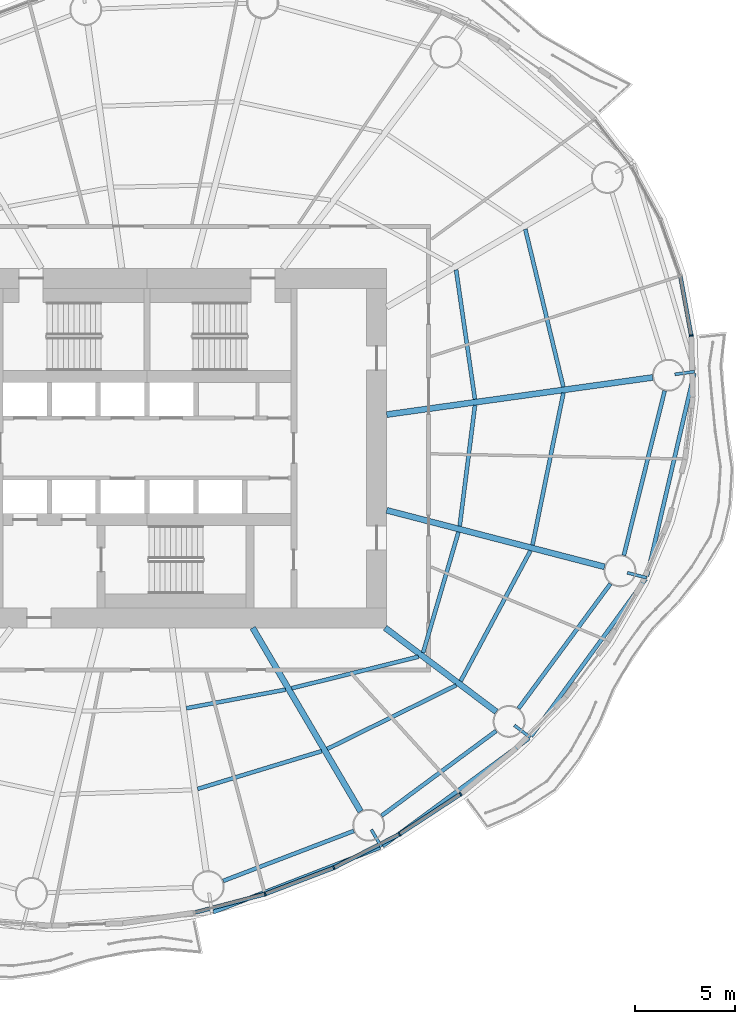
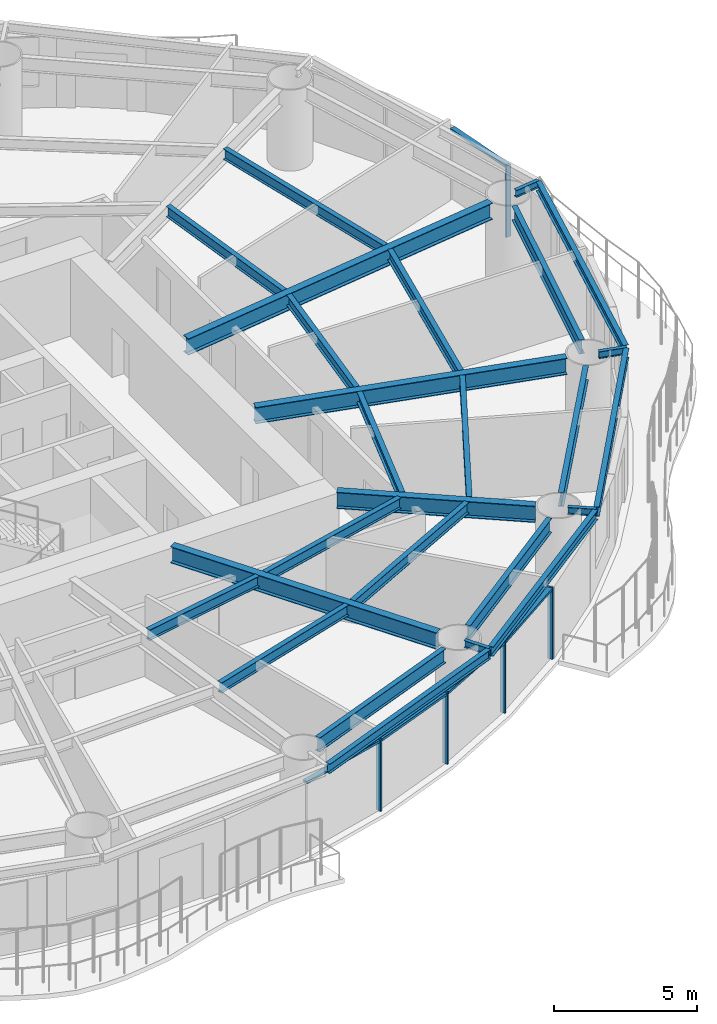
# One storey, part 3 of 15: 26 beams, 10 members, 5 elements without a shape of their own.
"""IFC4 building model written with IfcOpenShell, lengths in metres."""

from ifc_helpers import new_model, si_unit, direction, frame, origin, origin_2d, place, context, subcontext, project, spatial, rectangle, i_section, extrude, material, material_profile, profile_set, type_object, element, aggregate, save


model = new_model("IFC4")

# Units and contexts
model_context = context("Model", 3, precision=1e-05, world=origin(), true_north=direction((0.0, 1.0)))
body_context = subcontext(model_context, "Body", "Model", "MODEL_VIEW")
ifc_project = project(units=[si_unit("LENGTHUNIT", "METRE"), si_unit("AREAUNIT", "SQUARE_METRE"), si_unit("VOLUMEUNIT", "CUBIC_METRE"), si_unit("PLANEANGLEUNIT", "RADIAN"), si_unit("MASSUNIT", "GRAM", prefix="KILO")], contexts=[model_context])

# Site, building, storey
site_placement = place(None, origin())
site = spatial("IfcSite", under=ifc_project, at=site_placement, CompositionType="ELEMENT")
building_placement = place(site_placement, origin())
building = spatial("IfcBuilding", under=site, at=building_placement, Name="Vermilion Reach Broadcast Tower", CompositionType="ELEMENT")
storey_placement = place(building_placement, frame((0.0, 0.0, 128.199951171875)))
storey = spatial("IfcBuildingStorey", under=building, at=storey_placement, Name="L30", CompositionType="ELEMENT", Elevation=128.199951171875)

# Beams
ifc_material_1 = material(Name="Steel S355J2", Category="steel")
ifc_material_profile_1 = material_profile(ifc_material_1, i_section(OverallWidth=0.199951171875, OverallDepth=0.39990234375, WebThickness=0.008056640625, FlangeThickness=0.012939453125, at=origin_2d()), Name="S355J2 HN 400x200x8x13")
ifc_profile_set_1 = profile_set([ifc_material_profile_1], Name="Steel S355J2")
beam_type_1 = type_object("IfcBeamType", Name="EB2 HN 400x200x8x13", PredefinedType="BEAM", material=ifc_profile_set_1)
beam_1_placement = place(storey_placement, frame((-2.679931640625, -23.23193359375, 3.25), z_axis=(0.932314966936, 0.361647345389, 0.0), x_axis=(-0.361647345389, 0.932314966936, 0.0)))
element("IfcBeam", 1, at=beam_1_placement, inside=storey, type_object=beam_type_1, Name="Edge beam EB2-12", PredefinedType="BEAM", context=body_context, shape_type="SweptSolid", body=[
    extrude(i_section(OverallWidth=0.199951171875, OverallDepth=0.39990234375, WebThickness=0.008056640625, FlangeThickness=0.012939453125, at=origin_2d()), origin(), (0.0, 0.0, 1.0), 8.952880859375),
])
beam_2_placement = place(storey_placement, frame((5.798583984375, -19.921875, 3.25), z_axis=(0.80536002253, 0.592785993518, 0.0), x_axis=(-0.592785993518, 0.80536002253, 0.0)))
element("IfcBeam", 2, at=beam_2_placement, inside=storey, type_object=beam_type_1, Name="Edge beam EB2-13", PredefinedType="BEAM", context=body_context, shape_type="SweptSolid", body=[
    extrude(i_section(OverallWidth=0.199951171875, OverallDepth=0.39990234375, WebThickness=0.008056640625, FlangeThickness=0.012939453125, at=origin_2d()), origin(), (0.0, 0.0, 1.0), 9.094970703125),
])
beam_3_placement = place(storey_placement, frame((13.23046875, -14.423583984375, 3.25), z_axis=(0.589004991883, 0.808129395293, 0.0), x_axis=(-0.808129395293, 0.589004991883, 0.0)))
element("IfcBeam", 3, at=beam_3_placement, inside=storey, type_object=beam_type_1, Name="Edge beam EB2-14", PredefinedType="BEAM", context=body_context, shape_type="SweptSolid", body=[
    extrude(i_section(OverallWidth=0.199951171875, OverallDepth=0.39990234375, WebThickness=0.008056640625, FlangeThickness=0.012939453125, at=origin_2d()), origin(), (0.0, 0.0, 1.0), 9.734375),
])
beam_4_placement = place(storey_placement, frame((19.028564453125, -6.418701171875, 3.25), z_axis=(0.226573857574, 0.973993987181, 0.0), x_axis=(-0.973993987181, 0.226573857574, 0.0)))
element("IfcBeam", 4, at=beam_4_placement, inside=storey, type_object=beam_type_1, Name="Edge beam EB2-15", PredefinedType="BEAM", context=body_context, shape_type="SweptSolid", body=[
    extrude(i_section(OverallWidth=0.199951171875, OverallDepth=0.39990234375, WebThickness=0.008056640625, FlangeThickness=0.012939453125, at=origin_2d()), origin(), (0.0, 0.0, 1.0), 10.440185546875),
])
ifc_material_2 = material(Name="Steel S355J2", Category="steel")
ifc_material_profile_2 = material_profile(ifc_material_2, i_section(OverallWidth=0.300048828125, OverallDepth=0.699951171875, WebThickness=0.012939453125, FlangeThickness=0.02392578125, at=origin_2d()), Name="S355J2 HN 700x300x13x24")
ifc_profile_set_2 = profile_set([ifc_material_profile_2], Name="Steel S355J2")
beam_type_2 = type_object("IfcBeamType", Name="G2 HN 700x300x13x24", PredefinedType="BEAM", material=ifc_profile_set_2)
beam_5_placement = place(storey_placement, frame((-0.709228515625, -9.0, 3.10009765625), z_axis=(0.506783943634, -0.862073102744, 0.0), x_axis=(0.862073102744, 0.506783943634, 0.0)))
element("IfcBeam", 5, at=beam_5_placement, inside=storey, type_object=beam_type_2, Name="Girder G2-13", PredefinedType="BEAM", context=body_context, shape_type="SweptSolid", body=[
    extrude(i_section(OverallWidth=0.300048828125, OverallDepth=0.699951171875, WebThickness=0.012939453125, FlangeThickness=0.02392578125, at=origin_2d()), origin(), (0.0, 0.0, 1.0), 10.661865234375),
])
beam_6_placement = place(storey_placement, frame((5.921630859375, -9.0, 3.10009765625), z_axis=(0.798113534072, -0.602507084382, 0.0), x_axis=(0.602507084382, 0.798113534072, 0.0)))
element("IfcBeam", 6, at=beam_6_placement, inside=storey, type_object=beam_type_2, Name="Girder G2-14", PredefinedType="BEAM", context=body_context, shape_type="SweptSolid", body=[
    extrude(i_section(OverallWidth=0.300048828125, OverallDepth=0.699951171875, WebThickness=0.012939453125, FlangeThickness=0.02392578125, at=origin_2d()), origin(), (0.0, 0.0, 1.0), 6.971923828125),
])
beam_7_placement = place(storey_placement, frame((6.0, -3.114501953125, 3.10009765625), z_axis=(0.967926079816, -0.2512351568, 0.0), x_axis=(0.2512351568, 0.967926079816, 0.0)))
element("IfcBeam", 7, at=beam_7_placement, inside=storey, type_object=beam_type_2, Name="Girder G2-15", PredefinedType="BEAM", context=body_context, shape_type="SweptSolid", body=[
    extrude(i_section(OverallWidth=0.300048828125, OverallDepth=0.699951171875, WebThickness=0.012939453125, FlangeThickness=0.02392578125, at=origin_2d()), origin(), (0.0, 0.0, 1.0), 11.265625),
])
beam_8_placement = place(storey_placement, frame((6.0, 1.67578125, 3.10009765625), z_axis=(0.990389457618, 0.138306623986, 0.0), x_axis=(-0.138306623986, 0.990389457618, 0.0)))
element("IfcBeam", 8, at=beam_8_placement, inside=storey, type_object=beam_type_2, Name="Girder G2-16", PredefinedType="BEAM", context=body_context, shape_type="SweptSolid", body=[
    extrude(i_section(OverallWidth=0.300048828125, OverallDepth=0.699951171875, WebThickness=0.012939453125, FlangeThickness=0.02392578125, at=origin_2d()), origin(), (0.0, 0.0, 1.0), 13.445556640625),
])
ifc_material_3 = material(Name="Steel S355J2", Category="steel")
ifc_material_profile_3 = material_profile(ifc_material_3, i_section(OverallWidth=0.14990234375, OverallDepth=0.300048828125, WebThickness=0.006591796875, FlangeThickness=0.009033203125, at=origin_2d()), Name="S355J2 HN 300x150x6.5x9")
ifc_profile_set_3 = profile_set([ifc_material_profile_3], Name="Steel S355J2")
beam_type_3 = type_object("IfcBeamType", Name="GS2 HN 300x150x6.5x9", PredefinedType="BEAM", material=ifc_profile_set_3)
for number, where, z_axis, x_axis, name in (
    (9, (5.23095703125, -19.1044921875, 3.300048828125), (0.506828068037, -0.862047161964, 0.0), (0.862047161964, 0.506828068037, 0.0), "Cantilever stub GS2-13"),
    (10, (12.38818359375, -13.881591796875, 3.300048828125), (0.798091683473, -0.602536027779, 0.0), (0.602536027779, 0.798091683473, 0.0), "Cantilever stub GS2-14"),
    (11, (18.043701171875, -6.240478515625, 3.300048828125), (0.967935368459, -0.251199368006, 0.0), (0.251199368006, 0.967935368459, 0.0), "Cantilever stub GS2-15"),
    (12, (20.421875, 3.68994140625, 3.300048828125), (0.990408003315, 0.13817375644, 0.0), (-0.13817375644, 0.990408003315, 0.0), "Cantilever stub GS2-16"),
):
    element("IfcBeam", number, at=place(storey_placement, frame(where, z_axis=z_axis, x_axis=x_axis)), inside=storey, type_object=beam_type_3, Name=name, PredefinedType="BEAM", context=body_context, shape_type="SweptSolid", body=[
        extrude(i_section(OverallWidth=0.14990234375, OverallDepth=0.300048828125, WebThickness=0.006591796875, FlangeThickness=0.009033203125, at=origin_2d()), origin(), (0.0, 0.0, 1.0), 1.0),
    ])
ifc_material_4 = material(Name="Steel S355J2", Category="steel")
ifc_material_profile_4 = material_profile(ifc_material_4, i_section(OverallWidth=0.199951171875, OverallDepth=0.60009765625, WebThickness=0.010986328125, FlangeThickness=0.01708984375, at=origin_2d()), Name="S355J2 HN 600x200x11x17")
ifc_profile_set_4 = profile_set([ifc_material_profile_4], Name="Steel S355J2")
beam_type_4 = type_object("IfcBeamType", Name="RB2 HN 600x200x11x17", PredefinedType="BEAM", material=ifc_profile_set_4)
beam_9_placement = place(storey_placement, frame((-2.186767578125, -21.669677734375, 3.150146484375), z_axis=(0.933939237212, 0.357431813353, 0.0), x_axis=(-0.357431813353, 0.933939237212, 0.0)))
element("IfcBeam", 13, at=beam_9_placement, inside=storey, type_object=beam_type_4, Name="Ring beam RB2-12", PredefinedType="BEAM", context=body_context, shape_type="SweptSolid", body=[
    extrude(i_section(OverallWidth=0.199951171875, OverallDepth=0.60009765625, WebThickness=0.010986328125, FlangeThickness=0.01708984375, at=origin_2d()), origin(), (0.0, 0.0, 1.0), 7.001953125),
])
beam_10_placement = place(storey_placement, frame((5.74267578125, -18.4052734375, 3.150146484375), z_axis=(0.803832742218, 0.594855379515, 0.0), x_axis=(-0.594855379515, 0.803832742218, 0.0)))
element("IfcBeam", 14, at=beam_10_placement, inside=storey, type_object=beam_type_4, Name="Ring beam RB2-13", PredefinedType="BEAM", context=body_context, shape_type="SweptSolid", body=[
    extrude(i_section(OverallWidth=0.199951171875, OverallDepth=0.60009765625, WebThickness=0.010986328125, FlangeThickness=0.01708984375, at=origin_2d()), origin(), (0.0, 0.0, 1.0), 7.13916015625),
])
beam_11_placement = place(storey_placement, frame((12.59912109375, -13.03857421875, 3.150146484375), z_axis=(0.593250534798, 0.80501788984, 0.0), x_axis=(-0.80501788984, 0.593250534798, 0.0)))
element("IfcBeam", 15, at=beam_11_placement, inside=storey, type_object=beam_type_4, Name="Ring beam RB2-14", PredefinedType="BEAM", context=body_context, shape_type="SweptSolid", body=[
    extrude(i_section(OverallWidth=0.199951171875, OverallDepth=0.60009765625, WebThickness=0.010986328125, FlangeThickness=0.01708984375, at=origin_2d()), origin(), (0.0, 0.0, 1.0), 7.76220703125),
])
beam_12_placement = place(storey_placement, frame((17.871337890625, -5.369384765625, 3.150146484375), z_axis=(0.240863809798, 0.970558924089, 0.0), x_axis=(-0.970558924089, 0.240863809798, 0.0)))
element("IfcBeam", 16, at=beam_12_placement, inside=storey, type_object=beam_type_4, Name="Ring beam RB2-15", PredefinedType="BEAM", context=body_context, shape_type="SweptSolid", body=[
    extrude(i_section(OverallWidth=0.199951171875, OverallDepth=0.60009765625, WebThickness=0.010986328125, FlangeThickness=0.01708984375, at=origin_2d()), origin(), (0.0, 0.0, 1.0), 8.489013671875),
])
ifc_material_5 = material(Name="Steel S355J2", Category="steel")
ifc_material_profile_5 = material_profile(ifc_material_5, i_section(OverallWidth=0.199951171875, OverallDepth=0.449951171875, WebThickness=0.009033203125, FlangeThickness=0.013916015625, at=origin_2d()), Name="S355J2 HN 450x200x9x14")
ifc_profile_set_5 = profile_set([ifc_material_profile_5], Name="Steel S355J2")
beam_type_5 = type_object("IfcBeamType", Name="SB2 HN 450x200x9x14", PredefinedType="BEAM", material=ifc_profile_set_5)
beam_13_placement = place(storey_placement, frame((-4.029296875, -13.026611328125, 3.22509765625), z_axis=(0.982782890015, 0.184764149915, 0.0), x_axis=(-0.184764149915, 0.982782890015, 0.0)))
element("IfcBeam", 17, at=beam_13_placement, inside=storey, type_object=beam_type_5, Name="Secondary beam SB2-12-1", PredefinedType="BEAM", context=body_context, shape_type="SweptSolid", body=[
    extrude(i_section(OverallWidth=0.199951171875, OverallDepth=0.449951171875, WebThickness=0.009033203125, FlangeThickness=0.013916015625, at=origin_2d()), origin(), (0.0, 0.0, 1.0), 5.051513671875),
])
beam_14_placement = place(storey_placement, frame((-3.46533203125, -17.064697265625, 3.22509765625), z_axis=(0.956596430605, 0.291415972374, 0.0), x_axis=(-0.291415972374, 0.956596430605, 0.0)))
element("IfcBeam", 18, at=beam_14_placement, inside=storey, type_object=beam_type_5, Name="Secondary beam SB2-12-2", PredefinedType="BEAM", context=body_context, shape_type="SweptSolid", body=[
    extrude(i_section(OverallWidth=0.199951171875, OverallDepth=0.449951171875, WebThickness=0.009033203125, FlangeThickness=0.013916015625, at=origin_2d()), origin(), (0.0, 0.0, 1.0), 6.49267578125),
])
beam_15_placement = place(storey_placement, frame((1.24365234375, -12.026123046875, 3.22509765625), z_axis=(0.970396717612, 0.241516480695, 0.0), x_axis=(-0.241516480695, 0.970396717612, 0.0)))
element("IfcBeam", 19, at=beam_15_placement, inside=storey, type_object=beam_type_5, Name="Secondary beam SB2-13-1", PredefinedType="BEAM", context=body_context, shape_type="SweptSolid", body=[
    extrude(i_section(OverallWidth=0.199951171875, OverallDepth=0.449951171875, WebThickness=0.009033203125, FlangeThickness=0.013916015625, at=origin_2d()), origin(), (0.0, 0.0, 1.0), 6.539306640625),
])
beam_16_placement = place(storey_placement, frame((3.02783203125, -15.06103515625, 3.22509765625), z_axis=(0.896648255868, 0.442743611189, 0.0), x_axis=(-0.442743611189, 0.896648255868, 0.0)))
element("IfcBeam", 20, at=beam_16_placement, inside=storey, type_object=beam_type_5, Name="Secondary beam SB2-13-2", PredefinedType="BEAM", context=body_context, shape_type="SweptSolid", body=[
    extrude(i_section(OverallWidth=0.199951171875, OverallDepth=0.449951171875, WebThickness=0.009033203125, FlangeThickness=0.013916015625, at=origin_2d()), origin(), (0.0, 0.0, 1.0), 7.19677734375),
])
beam_17_placement = place(storey_placement, frame((7.821533203125, -10.246337890625, 3.22509765625), z_axis=(0.281175657723, 0.959656318431, 0.0), x_axis=(-0.959656318431, 0.281175657723, 0.0)))
element("IfcBeam", 21, at=beam_17_placement, inside=storey, type_object=beam_type_5, Name="Secondary beam SB2-14-1", PredefinedType="BEAM", context=body_context, shape_type="SweptSolid", body=[
    extrude(i_section(OverallWidth=0.199951171875, OverallDepth=0.449951171875, WebThickness=0.009033203125, FlangeThickness=0.013916015625, at=origin_2d()), origin(), (0.0, 0.0, 1.0), 6.298583984375),
])
beam_18_placement = place(storey_placement, frame((9.702880859375, -11.66650390625, 3.22509765625), z_axis=(0.471821551693, 0.881694064491, 0.0), x_axis=(-0.881694064491, 0.471821551693, 0.0)))
element("IfcBeam", 22, at=beam_18_placement, inside=storey, type_object=beam_type_5, Name="Secondary beam SB2-14-2", PredefinedType="BEAM", context=body_context, shape_type="SweptSolid", body=[
    extrude(i_section(OverallWidth=0.199951171875, OverallDepth=0.449951171875, WebThickness=0.009033203125, FlangeThickness=0.013916015625, at=origin_2d()), origin(), (0.0, 0.0, 1.0), 7.405029296875),
])
beam_19_placement = place(storey_placement, frame((9.65380859375, -3.907958984375, 3.22509765625), z_axis=(0.125557241128, 0.992086376885, 0.0), x_axis=(-0.992086376885, 0.125557241128, 0.0)))
element("IfcBeam", 23, at=beam_19_placement, inside=storey, type_object=beam_type_5, Name="Secondary beam SB2-15-1", PredefinedType="BEAM", context=body_context, shape_type="SweptSolid", body=[
    extrude(i_section(OverallWidth=0.199951171875, OverallDepth=0.449951171875, WebThickness=0.009033203125, FlangeThickness=0.013916015625, at=origin_2d()), origin(), (0.0, 0.0, 1.0), 6.097900390625),
])
beam_20_placement = place(storey_placement, frame((13.29931640625, -4.854248046875, 3.22509765625), z_axis=(0.19906416804, 0.979986457561, 0.0), x_axis=(-0.979986457561, 0.19906416804, 0.0)))
element("IfcBeam", 24, at=beam_20_placement, inside=storey, type_object=beam_type_5, Name="Secondary beam SB2-15-2", PredefinedType="BEAM", context=body_context, shape_type="SweptSolid", body=[
    extrude(i_section(OverallWidth=0.199951171875, OverallDepth=0.449951171875, WebThickness=0.009033203125, FlangeThickness=0.013916015625, at=origin_2d()), origin(), (0.0, 0.0, 1.0), 7.76953125),
])
beam_21_placement = place(storey_placement, frame((10.417236328125, 2.444091796875, 3.22509765625), z_axis=(-0.143973706518, 0.989581513485, 0.0), x_axis=(-0.989581513485, -0.143973706518, 0.0)))
element("IfcBeam", 25, at=beam_21_placement, inside=storey, type_object=beam_type_5, Name="Secondary beam SB2-16-1", PredefinedType="BEAM", context=body_context, shape_type="SweptSolid", body=[
    extrude(i_section(OverallWidth=0.199951171875, OverallDepth=0.449951171875, WebThickness=0.009033203125, FlangeThickness=0.013916015625, at=origin_2d()), origin(), (0.0, 0.0, 1.0), 6.547119140625),
])
beam_22_placement = place(storey_placement, frame((14.84228515625, 3.06201171875, 3.22509765625), z_axis=(-0.234260568382, 0.972173845617, 0.0), x_axis=(-0.972173845617, -0.234260568382, 0.0)))
element("IfcBeam", 26, at=beam_22_placement, inside=storey, type_object=beam_type_5, Name="Secondary beam SB2-16-2", PredefinedType="BEAM", context=body_context, shape_type="SweptSolid", body=[
    extrude(i_section(OverallWidth=0.199951171875, OverallDepth=0.449951171875, WebThickness=0.009033203125, FlangeThickness=0.013916015625, at=origin_2d()), origin(), (0.0, 0.0, 1.0), 8.123779296875),
])

# Curtain wall, member
ifc_material_6 = material(Name="Low-e laminated clear glass in aluminium frame", Category="aluminium")
curtain_wall_type = type_object("IfcCurtainWallType", Name="Slot curtain wall", PredefinedType="NOTDEFINED", material=ifc_material_6)
placement = place(storey_placement, origin())
curtain_wall_1 = element("IfcCurtainWall", 27, at=placement, inside=storey, type_object=curtain_wall_type, Name="Slot curtain wall L30 46", PredefinedType="NOTDEFINED")
ifc_material_7 = material(Name="Anodised aluminium", Category="aluminium")
ifc_material_profile_6 = material_profile(ifc_material_7, rectangle(XDim=0.199951171875, YDim=0.080078125, at=origin_2d()), Name="Slot mullion 80 x 200")
ifc_profile_set_6 = profile_set([ifc_material_profile_6], Name="Anodised aluminium")
member_type_1 = type_object("IfcMemberType", Name="Slot mullion 80 x 200", PredefinedType="MULLION", material=ifc_profile_set_6)
member_1_placement = place(storey_placement, frame((21.243408203125, 5.630859375, 0.0), z_axis=(0.0, 0.0, 1.0), x_axis=(-0.99465504967, -0.103253727128, 0.0)))
member_1 = element("IfcMember", 28, at=member_1_placement, type_object=member_type_1, Name="Slot mullion L30 46", PredefinedType="MULLION", context=body_context, shape_type="SweptSolid", body=[
    extrude(rectangle(XDim=0.199951171875, YDim=0.080078125, at=origin_2d()), origin(), (0.0, 0.0, 1.0), 3.050048828125),
])

curtain_wall_2 = element("IfcCurtainWall", 29, at=placement, inside=storey, type_object=curtain_wall_type, Name="Slot curtain wall L30 35", PredefinedType="NOTDEFINED")
member_2_placement = place(storey_placement, frame((-0.0869140625, -22.326171875, 0.0), z_axis=(0.0, 0.0, 1.0), x_axis=(-0.306261378064, 0.951947460896, 0.0)))
member_2 = element("IfcMember", 30, at=member_2_placement, type_object=member_type_1, Name="Slot mullion L30 35", PredefinedType="MULLION", context=body_context, shape_type="SweptSolid", body=[
    extrude(rectangle(XDim=0.199951171875, YDim=0.080078125, at=origin_2d()), origin(), (0.0, 0.0, 1.0), 3.050048828125),
])

curtain_wall_3 = element("IfcCurtainWall", 31, at=placement, inside=storey, type_object=curtain_wall_type, Name="Slot curtain wall L30 36", PredefinedType="NOTDEFINED")
member_3_placement = place(storey_placement, frame((3.3544921875, -21.01025390625, 0.0), z_axis=(0.0, 0.0, 1.0), x_axis=(-0.406736714985, 0.913545425627, 0.0)))
member_3 = element("IfcMember", 32, at=member_3_placement, type_object=member_type_1, Name="Slot mullion L30 36", PredefinedType="MULLION", context=body_context, shape_type="SweptSolid", body=[
    extrude(rectangle(XDim=0.199951171875, YDim=0.080078125, at=origin_2d()), origin(), (0.0, 0.0, 1.0), 3.050048828125),
])

# Curtain wall, members
curtain_wall_4 = element("IfcCurtainWall", 33, at=placement, inside=storey, type_object=curtain_wall_type, Name="Slot curtain wall L30 37", PredefinedType="NOTDEFINED")
member_4_placement = place(storey_placement, frame((6.635009765625, -19.33349609375, 0.0), z_axis=(0.0, 0.0, 1.0), x_axis=(-0.502505984003, 0.86457373083, 0.0)))
member_4 = element("IfcMember", 34, at=member_4_placement, type_object=member_type_1, Name="Slot mullion L30 37", PredefinedType="MULLION", context=body_context, shape_type="SweptSolid", body=[
    extrude(rectangle(XDim=0.199951171875, YDim=0.080078125, at=origin_2d()), origin(), (0.0, 0.0, 1.0), 3.050048828125),
])
member_5_placement = place(storey_placement, frame((9.6982421875, -17.324462890625, 0.0), z_axis=(0.0, 0.0, 1.0), x_axis=(-0.593432863942, 0.804883492186, 0.0)))
member_5 = element("IfcMember", 35, at=member_5_placement, type_object=member_type_1, Name="Slot mullion L30 38", PredefinedType="MULLION", context=body_context, shape_type="SweptSolid", body=[
    extrude(rectangle(XDim=0.199951171875, YDim=0.080078125, at=origin_2d()), origin(), (0.0, 0.0, 1.0), 3.050048828125),
])

# Member
ifc_material_8 = material(Name="Anodised aluminium", Category="aluminium")
ifc_material_profile_7 = material_profile(ifc_material_8, rectangle(XDim=0.199951171875, YDim=0.10009765625, at=origin_2d()), Name="Slot transom 200 x 100")
ifc_profile_set_7 = profile_set([ifc_material_profile_7], Name="Anodised aluminium")
member_type_2 = type_object("IfcMemberType", Name="Slot transom 200 x 100", PredefinedType="USERDEFINED", material=ifc_profile_set_7)
member_6_placement = place(storey_placement, frame((21.236083984375, 5.670166015625, 3.0), z_axis=(-0.179737780176, 0.983714557368, 0.0), x_axis=(-0.983714557368, -0.179737780176, 0.0)))
member_6 = element("IfcMember", 36, at=member_6_placement, type_object=member_type_2, Name="Slot transom L30 46.1", ObjectType="TRANSOM", PredefinedType="USERDEFINED", context=body_context, shape_type="SweptSolid", body=[
    extrude(rectangle(XDim=0.199951171875, YDim=0.10009765625, at=origin_2d()), origin(), (0.0, 0.0, 1.0), 2.948974609375),
])

aggregate(curtain_wall_1, [member_1, member_6])

# Curtain wall, member
curtain_wall_5 = element("IfcCurtainWall", 37, at=placement, inside=storey, type_object=curtain_wall_type, Name="Slot curtain wall L30 34", PredefinedType="NOTDEFINED")
member_7_placement = place(storey_placement, frame((-3.5908203125, -23.248291015625, 3.0), z_axis=(0.967078949872, 0.254476530772, 0.0), x_axis=(-0.254476530772, 0.967078949872, 0.0)))
member_7 = element("IfcMember", 38, at=member_7_placement, type_object=member_type_2, Name="Slot transom L30 34.1", ObjectType="TRANSOM", PredefinedType="USERDEFINED", context=body_context, shape_type="SweptSolid", body=[
    extrude(rectangle(XDim=0.199951171875, YDim=0.10009765625, at=origin_2d()), origin(), (0.0, 0.0, 1.0), 3.583251953125),
])
aggregate(curtain_wall_5, [member_7])

# Member
member_8_placement = place(storey_placement, frame((-0.049560546875, -22.31201171875, 3.0), z_axis=(0.934043859967, 0.357158322959, 0.0), x_axis=(-0.357158322959, 0.934043859967, 0.0)))
member_8 = element("IfcMember", 39, at=member_8_placement, type_object=member_type_2, Name="Slot transom L30 35.1", ObjectType="TRANSOM", PredefinedType="USERDEFINED", context=body_context, shape_type="SweptSolid", body=[
    extrude(rectangle(XDim=0.199951171875, YDim=0.10009765625, at=origin_2d()), origin(), (0.0, 0.0, 1.0), 3.6044921875),
])

aggregate(curtain_wall_2, [member_2, member_8])

member_9_placement = place(storey_placement, frame((3.389892578125, -20.9921875, 3.0), z_axis=(0.890409062375, 0.455161182045, 0.0), x_axis=(-0.455161182045, 0.890409062375, 0.0)))
member_9 = element("IfcMember", 40, at=member_9_placement, type_object=member_type_2, Name="Slot transom L30 36.1", ObjectType="TRANSOM", PredefinedType="USERDEFINED", context=body_context, shape_type="SweptSolid", body=[
    extrude(rectangle(XDim=0.199951171875, YDim=0.10009765625, at=origin_2d()), origin(), (0.0, 0.0, 1.0), 3.6044921875),
])

aggregate(curtain_wall_3, [member_3, member_9])

member_10_placement = place(storey_placement, frame((6.66845703125, -19.3115234375, 3.0), z_axis=(0.836209024559, 0.548410856244, 0.0), x_axis=(-0.548410856244, 0.836209024559, 0.0)))
member_10 = element("IfcMember", 41, at=member_10_placement, type_object=member_type_2, Name="Slot transom L30 37.1", ObjectType="TRANSOM", PredefinedType="USERDEFINED", context=body_context, shape_type="SweptSolid", body=[
    extrude(rectangle(XDim=0.199951171875, YDim=0.10009765625, at=origin_2d()), origin(), (0.0, 0.0, 1.0), 3.583251953125),
])

aggregate(curtain_wall_4, [member_4, member_5, member_10])

save(model, "model.ifc")
